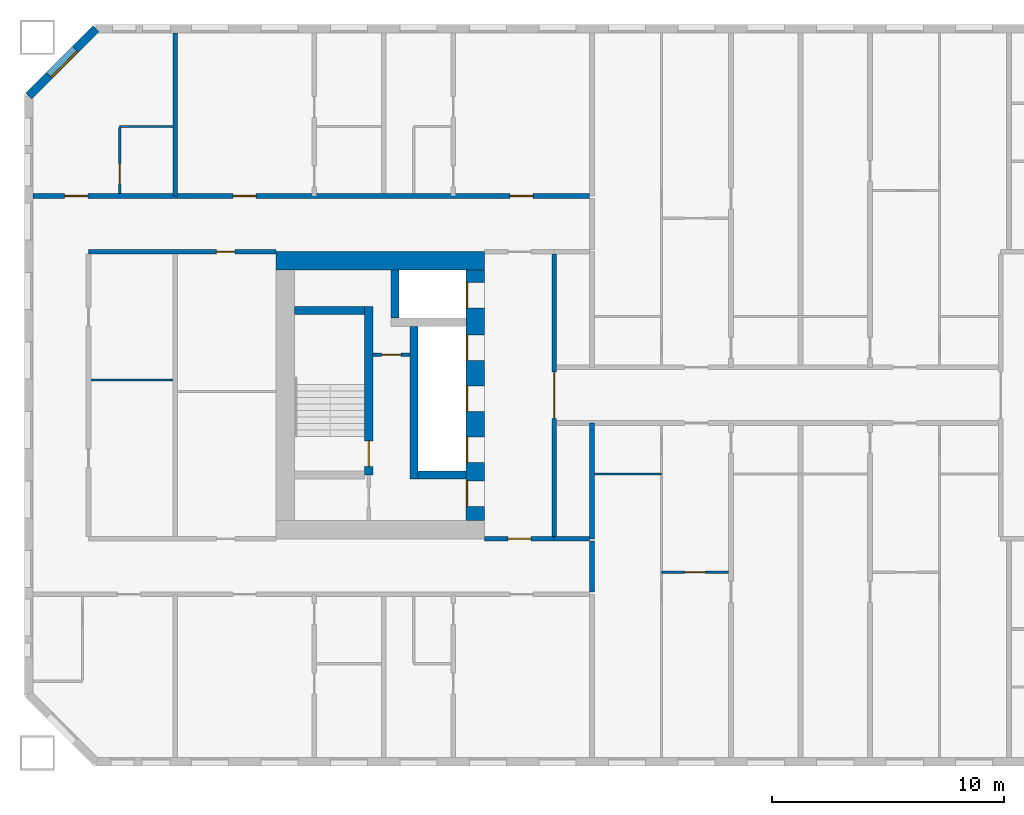
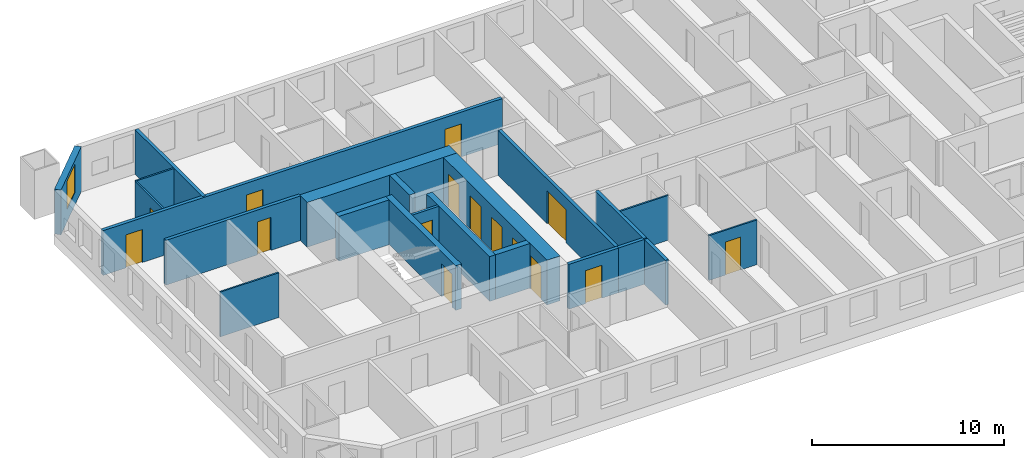
# One storey, part 4 of 17: 22 walls, 15 doors, 1 window, 16 openings.
"""IFC4 building model written with IfcOpenShell, lengths in metres."""

from ifc_helpers import new_model, si_unit, direction, frame, frame_2d, origin, place, context, subcontext, project, spatial, rectangle, extrude, material, layer, layer_set, type_object, element, fill, save


model = new_model("IFC4")

# Units and contexts
model_context = context("Model", 3, precision=1e-05, world=origin(), true_north=direction((0.0, 1.0)))
body_context = subcontext(model_context, "Body", "Model", "MODEL_VIEW")
ifc_project = project(units=[si_unit("LENGTHUNIT", "METRE"), si_unit("AREAUNIT", "SQUARE_METRE"), si_unit("VOLUMEUNIT", "CUBIC_METRE"), si_unit("PLANEANGLEUNIT", "RADIAN"), si_unit("MASSUNIT", "GRAM", prefix="KILO")], contexts=[model_context])

# Site, building, storey
site_placement = place(None, origin())
site = spatial("IfcSite", under=ifc_project, at=site_placement, CompositionType="ELEMENT")
building_placement = place(site_placement, origin())
building = spatial("IfcBuilding", under=site, at=building_placement, Name="Tuart Gate Housing", CompositionType="ELEMENT")
storey_placement = place(building_placement, frame((0.0, 0.0, 44.300048828125)))
storey = spatial("IfcBuildingStorey", under=building, at=storey_placement, Name="L11", CompositionType="ELEMENT", Elevation=44.300048828125)

# Wall, opening, window
ifc_material_1 = material(Name="Brick", Category="masonry")
ifc_layer_1 = layer(ifc_material_1, 0.360107421875)
ifc_layer_set_1 = layer_set([ifc_layer_1], Name="Brick pier and spandrel wall 360")
wall_type_1 = type_object("IfcWallType", Name="Brick pier and spandrel wall 360", PredefinedType="STANDARD", material=ifc_layer_set_1)
wall_1_placement = place(storey_placement, frame((24.57470703125, 85.820068359375, 0.0), z_axis=(0.0, 0.0, 1.0), x_axis=(-0.707106781187, -0.707106781187, 0.0)))
wall_1 = element("IfcWall", 1, at=wall_1_placement, inside=storey, type_object=wall_type_1, Name="External wall A-NW L11", PredefinedType="STANDARD", context=body_context, shape_type="SweptSolid", body=[
    extrude(rectangle(XDim=4.09375, YDim=0.360107421875, at=frame_2d((2.046875, 0.0))), origin(), (0.0, 0.0, 1.0), 2.849853515625),
])
opening_1_placement = place(wall_1_placement, frame((1.2470703125, 0.0, 0.800048828125)))
opening_1 = element("IfcOpeningElement", 2, at=opening_1_placement, cuts=wall_1, Name="Opening W1", PredefinedType="OPENING", context=body_context, shape_type="SweptSolid", body=[
    extrude(rectangle(XDim=1.60009765625, YDim=1.800048828125, at=frame_2d((0.800048828125, 0.89990234375))), frame((0.0, 0.18994140625, 0.0), z_axis=(0.0, -1.0, 0.0), x_axis=(1.0, 0.0, 0.0)), (0.0, 0.0, 1.0), 0.380126953125),
])
ifc_material_2 = material(Name="Aluminium frame with clear glass", Category="aluminium")
window_type = type_object("IfcWindowType", Name="Punched window 1600 x 1800", PartitioningType="SINGLE_PANEL", PredefinedType="WINDOW", material=ifc_material_2)
window_placement = place(opening_1_placement, origin())
window = element("IfcWindow", 3, at=window_placement, inside=storey, type_object=window_type, Name="Window W1", OverallHeight=1.800048828125, OverallWidth=1.60009765625, PartitioningType="SINGLE_PANEL", PredefinedType="WINDOW", context=body_context, shape_type="SweptSolid", body=[
    extrude(rectangle(XDim=1.60009765625, YDim=1.800048828125, at=frame_2d((0.800048828125, 0.89990234375))), frame((0.0, 0.150146484375, 0.0), z_axis=(0.0, -1.0, 0.0), x_axis=(1.0, 0.0, 0.0)), (0.0, 0.0, 1.0), 0.06005859375),
])
fill(opening_1, window)

# Wall, opening, door
ifc_material_3 = material(Name="Plasterboard partition")
ifc_layer_2 = layer(ifc_material_3, 0.14990234375)
ifc_layer_set_2 = layer_set([ifc_layer_2], Name="Core partition 150")
wall_type_2 = type_object("IfcWallType", Name="Core partition 150", PredefinedType="PARTITIONING", material=ifc_layer_set_2)
wall_2_placement = place(storey_placement, frame((38.135009765625, 71.75, 0.0), z_axis=(0.0, 0.0, 1.0), x_axis=(-1.0, 0.0, 0.0)))
wall_2 = element("IfcWall", 4, at=wall_2_placement, inside=storey, type_object=wall_type_2, Name="Core partition AK.3", PredefinedType="PARTITIONING", context=body_context, shape_type="SweptSolid", body=[
    extrude(rectangle(XDim=1.60009765625, YDim=0.14990234375, at=frame_2d((0.800048828125, 0.0))), origin(), (0.0, 0.0, 1.0), 2.849853515625),
])
opening_2_placement = place(wall_2_placement, frame((0.375, 0.0, 0.0)))
opening_2 = element("IfcOpeningElement", 5, at=opening_2_placement, cuts=wall_2, Name="Opening D616", PredefinedType="OPENING", context=body_context, shape_type="SweptSolid", body=[
    extrude(rectangle(XDim=0.85009765625, YDim=2.10009765625, at=frame_2d((0.425048828125, 1.050048828125))), frame((0.0, 0.0849609375, 0.0), z_axis=(0.0, -1.0, 0.0), x_axis=(1.0, 0.0, 0.0)), (0.0, 0.0, 1.0), 0.169921875),
])
ifc_material_4 = material(Name="Steel fire door", Category="steel")
door_type_1 = type_object("IfcDoorType", Name="Riser door 850 x 2100 RH", OperationType="SINGLE_SWING_RIGHT", PredefinedType="DOOR", material=ifc_material_4)
door_1_placement = place(opening_2_placement, frame((0.85009765625, 0.0, 0.0), z_axis=(0.0, 0.0, 1.0), x_axis=(-1.0, 0.0, 0.0)))
door_1 = element("IfcDoor", 6, at=door_1_placement, inside=storey, type_object=door_type_1, Name="Service room door AK.E1", OperationType="SINGLE_SWING_RIGHT", OverallHeight=2.10009765625, OverallWidth=0.85009765625, PredefinedType="DOOR", context=body_context, shape_type="SweptSolid", body=[
    extrude(rectangle(XDim=0.85009765625, YDim=2.10009765625, at=frame_2d((0.425048828125, 1.050048828125))), frame((0.0, 0.025146484375, 0.0), z_axis=(0.0, -1.0, 0.0), x_axis=(1.0, 0.0, 0.0)), (0.0, 0.0, 1.0), 0.050048828125),
])
fill(opening_2, door_1)

# Walls
ifc_material_5 = material(Name="Concrete C60", Category="concrete")
ifc_layer_3 = layer(ifc_material_5, 0.35009765625)
ifc_layer_set_3 = layer_set([ifc_layer_3], Name="Core wall 350 C60")
wall_type_3 = type_object("IfcWallType", Name="Core wall 350 C60", PredefinedType="SHEAR", material=ifc_layer_set_3)
wall_3_placement = place(storey_placement, frame((36.18505859375, 73.64990234375, 0.0), z_axis=(0.0, 0.0, 1.0), x_axis=(-1.0, 0.0, 0.0)))
element("IfcWall", 7, at=wall_3_placement, inside=storey, type_object=wall_type_3, Name="Core wall AK.1", PredefinedType="SHEAR", context=body_context, shape_type="SweptSolid", body=[
    extrude(rectangle(XDim=3.025146484375, YDim=0.35009765625, at=frame_2d((1.5126953125, 0.0))), origin(), (0.0, 0.0, 1.0), 2.849853515625),
])
wall_4_placement = place(storey_placement, frame((40.56005859375, 66.550048828125, 0.0), z_axis=(0.0, 0.0, 1.0), x_axis=(-1.0, 0.0, 0.0)))
element("IfcWall", 8, at=wall_4_placement, inside=storey, type_object=wall_type_3, Name="Core wall AK.4", PredefinedType="SHEAR", context=body_context, shape_type="SweptSolid", body=[
    extrude(rectangle(XDim=2.074951171875, YDim=0.35009765625, at=frame_2d((1.03759765625, 0.0))), origin(), (0.0, 0.0, 1.0), 2.849853515625),
])
wall_5_placement = place(storey_placement, frame((38.31005859375, 72.97509765625, 0.0), z_axis=(0.0, 0.0, 1.0), x_axis=(0.0, -1.0, 0.0)))
element("IfcWall", 9, at=wall_5_placement, inside=storey, type_object=wall_type_3, Name="Core wall AK.6", PredefinedType="SHEAR", context=body_context, shape_type="SweptSolid", body=[
    extrude(rectangle(XDim=6.60009765625, YDim=0.35009765625, at=frame_2d((3.300048828125, 0.0))), origin(), (0.0, 0.0, 1.0), 2.849853515625),
])
wall_6_placement = place(storey_placement, frame((37.489990234375, 75.39990234375, 0.0), z_axis=(0.0, 0.0, 1.0), x_axis=(0.0, -1.0, 0.0)))
element("IfcWall", 10, at=wall_6_placement, inside=storey, type_object=wall_type_3, Name="Core wall AK.7", PredefinedType="SHEAR", context=body_context, shape_type="SweptSolid", body=[
    extrude(rectangle(XDim=2.074951171875, YDim=0.35009765625, at=frame_2d((1.03759765625, 0.0))), origin(), (0.0, 0.0, 1.0), 2.849853515625),
])

# Wall, opening, door
wall_7_placement = place(storey_placement, frame((36.360107421875, 73.824951171875, 0.0), z_axis=(0.0, 0.0, 1.0), x_axis=(0.0, -1.0, 0.0)))
wall_7 = element("IfcWall", 11, at=wall_7_placement, inside=storey, type_object=wall_type_3, Name="Core wall AK.8", PredefinedType="SHEAR", context=body_context, shape_type="SweptSolid", body=[
    extrude(rectangle(XDim=7.27490234375, YDim=0.35009765625, at=frame_2d((3.637451171875, 0.0))), origin(), (0.0, 0.0, 1.0), 2.849853515625),
])
opening_3_placement = place(wall_7_placement, frame((5.800048828125, 0.0, 0.0)))
opening_3 = element("IfcOpeningElement", 12, at=opening_3_placement, cuts=wall_7, Name="Opening D619", PredefinedType="OPENING", context=body_context, shape_type="SweptSolid", body=[
    extrude(rectangle(XDim=1.10009765625, YDim=2.10009765625, at=frame_2d((0.550048828125, 1.050048828125))), frame((0.0, 0.18505859375, 0.0), z_axis=(0.0, -1.0, 0.0), x_axis=(1.0, 0.0, 0.0)), (0.0, 0.0, 1.0), 0.3701171875),
])
ifc_material_6 = material(Name="Steel fire door", Category="steel")
door_type_2 = type_object("IfcDoorType", Name="Stair door 1100 x 2100", OperationType="SINGLE_SWING_LEFT", PredefinedType="DOOR", material=ifc_material_6)
door_2_placement = place(opening_3_placement, frame((1.10009765625, 0.0, 0.0), z_axis=(0.0, 0.0, 1.0), x_axis=(-1.0, 0.0, 0.0)))
door_2 = element("IfcDoor", 13, at=door_2_placement, inside=storey, type_object=door_type_2, Name="Stair door AK.SD", OperationType="SINGLE_SWING_LEFT", OverallHeight=2.10009765625, OverallWidth=1.10009765625, PredefinedType="DOOR", context=body_context, shape_type="SweptSolid", body=[
    extrude(rectangle(XDim=1.10009765625, YDim=2.10009765625, at=frame_2d((0.550048828125, 1.050048828125))), frame((0.0, 0.025146484375, 0.0), z_axis=(0.0, -1.0, 0.0), x_axis=(1.0, 0.0, 0.0)), (0.0, 0.0, 1.0), 0.050048828125),
])
fill(opening_3, door_2)

# Wall, openings, doors
ifc_material_7 = material(Name="Concrete C60", Category="concrete")
ifc_layer_4 = layer(ifc_material_7, 0.800048828125)
ifc_layer_set_4 = layer_set([ifc_layer_4], Name="Core wall 800 C60")
wall_type_4 = type_object("IfcWallType", Name="Core wall 800 C60", PredefinedType="SHEAR", material=ifc_layer_set_4)
wall_8_placement = place(storey_placement, frame((40.9599609375, 75.39990234375, 0.0), z_axis=(0.0, 0.0, 1.0), x_axis=(0.0, -1.0, 0.0)))
wall_8 = element("IfcWall", 14, at=wall_8_placement, inside=storey, type_object=wall_type_4, Name="Core wall AK front", PredefinedType="SHEAR", context=body_context, shape_type="SweptSolid", body=[
    extrude(rectangle(XDim=10.7998046875, YDim=0.800048828125, at=frame_2d((5.39990234375, 0.0))), origin(), (0.0, 0.0, 1.0), 2.849853515625),
])
opening_4_placement = place(wall_8_placement, frame((0.52490234375, 0.0, 0.0)))
opening_4 = element("IfcOpeningElement", 15, at=opening_4_placement, cuts=wall_8, Name="Opening LD-FA2", PredefinedType="OPENING", context=body_context, shape_type="SweptSolid", body=[
    extrude(rectangle(XDim=1.10009765625, YDim=2.10009765625, at=frame_2d((0.550048828125, 1.050048828125))), frame((0.0, 0.409912109375, 0.0), z_axis=(0.0, -1.0, 0.0), x_axis=(1.0, 0.0, 0.0)), (0.0, 0.0, 1.0), 0.820068359375),
])
opening_5_placement = place(wall_8_placement, frame((2.800048828125, 0.0, 0.0)))
opening_5 = element("IfcOpeningElement", 16, at=opening_5_placement, cuts=wall_8, Name="Opening LD-LA4", PredefinedType="OPENING", context=body_context, shape_type="SweptSolid", body=[
    extrude(rectangle(XDim=1.10009765625, YDim=2.10009765625, at=frame_2d((0.550048828125, 1.050048828125))), frame((0.0, 0.409912109375, 0.0), z_axis=(0.0, -1.0, 0.0), x_axis=(1.0, 0.0, 0.0)), (0.0, 0.0, 1.0), 0.820068359375),
])
opening_6_placement = place(wall_8_placement, frame((5.0, 0.0, 0.0)))
opening_6 = element("IfcOpeningElement", 17, at=opening_6_placement, cuts=wall_8, Name="Opening LD-LA5", PredefinedType="OPENING", context=body_context, shape_type="SweptSolid", body=[
    extrude(rectangle(XDim=1.10009765625, YDim=2.10009765625, at=frame_2d((0.550048828125, 1.050048828125))), frame((0.0, 0.409912109375, 0.0), z_axis=(0.0, -1.0, 0.0), x_axis=(1.0, 0.0, 0.0)), (0.0, 0.0, 1.0), 0.820068359375),
])
opening_7_placement = place(wall_8_placement, frame((7.199951171875, 0.0, 0.0)))
opening_7 = element("IfcOpeningElement", 18, at=opening_7_placement, cuts=wall_8, Name="Opening LD-LA6", PredefinedType="OPENING", context=body_context, shape_type="SweptSolid", body=[
    extrude(rectangle(XDim=1.10009765625, YDim=2.10009765625, at=frame_2d((0.550048828125, 1.050048828125))), frame((0.0, 0.409912109375, 0.0), z_axis=(0.0, -1.0, 0.0), x_axis=(1.0, 0.0, 0.0)), (0.0, 0.0, 1.0), 0.820068359375),
])
opening_8_placement = place(wall_8_placement, frame((9.10009765625, 0.0, 0.0)))
opening_8 = element("IfcOpeningElement", 19, at=opening_8_placement, cuts=wall_8, Name="Opening D622", PredefinedType="OPENING", context=body_context, shape_type="SweptSolid", body=[
    extrude(rectangle(XDim=1.10009765625, YDim=2.10009765625, at=frame_2d((0.550048828125, 1.050048828125))), frame((0.0, 0.409912109375, 0.0), z_axis=(0.0, -1.0, 0.0), x_axis=(1.0, 0.0, 0.0)), (0.0, 0.0, 1.0), 0.820068359375),
])
ifc_material_8 = material(Name="Stainless steel", Category="steel")
door_type_3 = type_object("IfcDoorType", Name="Landing door 1100 x 2100", OperationType="DOUBLE_DOOR_SLIDING", PredefinedType="DOOR", material=ifc_material_8)
door_3_placement = place(opening_4_placement, origin())
door_3 = element("IfcDoor", 20, at=door_3_placement, inside=storey, type_object=door_type_3, Name="Lift landing door FA2", OperationType="DOUBLE_DOOR_SLIDING", OverallHeight=2.10009765625, OverallWidth=1.10009765625, PredefinedType="DOOR", context=body_context, shape_type="SweptSolid", body=[
    extrude(rectangle(XDim=1.10009765625, YDim=2.10009765625, at=frame_2d((0.550048828125, 1.050048828125))), frame((0.0, -0.3349609375, 0.0), z_axis=(0.0, -1.0, 0.0), x_axis=(1.0, 0.0, 0.0)), (0.0, 0.0, 1.0), 0.050048828125),
])
fill(opening_4, door_3)
door_4_placement = place(opening_5_placement, origin())
door_4 = element("IfcDoor", 21, at=door_4_placement, inside=storey, type_object=door_type_3, Name="Lift landing door LA4", OperationType="DOUBLE_DOOR_SLIDING", OverallHeight=2.10009765625, OverallWidth=1.10009765625, PredefinedType="DOOR", context=body_context, shape_type="SweptSolid", body=[
    extrude(rectangle(XDim=1.10009765625, YDim=2.10009765625, at=frame_2d((0.550048828125, 1.050048828125))), frame((0.0, -0.3349609375, 0.0), z_axis=(0.0, -1.0, 0.0), x_axis=(1.0, 0.0, 0.0)), (0.0, 0.0, 1.0), 0.050048828125),
])
fill(opening_5, door_4)
door_5_placement = place(opening_6_placement, origin())
door_5 = element("IfcDoor", 22, at=door_5_placement, inside=storey, type_object=door_type_3, Name="Lift landing door LA5", OperationType="DOUBLE_DOOR_SLIDING", OverallHeight=2.10009765625, OverallWidth=1.10009765625, PredefinedType="DOOR", context=body_context, shape_type="SweptSolid", body=[
    extrude(rectangle(XDim=1.10009765625, YDim=2.10009765625, at=frame_2d((0.550048828125, 1.050048828125))), frame((0.0, -0.3349609375, 0.0), z_axis=(0.0, -1.0, 0.0), x_axis=(1.0, 0.0, 0.0)), (0.0, 0.0, 1.0), 0.050048828125),
])
fill(opening_6, door_5)
door_6_placement = place(opening_7_placement, origin())
door_6 = element("IfcDoor", 23, at=door_6_placement, inside=storey, type_object=door_type_3, Name="Lift landing door LA6", OperationType="DOUBLE_DOOR_SLIDING", OverallHeight=2.10009765625, OverallWidth=1.10009765625, PredefinedType="DOOR", context=body_context, shape_type="SweptSolid", body=[
    extrude(rectangle(XDim=1.10009765625, YDim=2.10009765625, at=frame_2d((0.550048828125, 1.050048828125))), frame((0.0, -0.3349609375, 0.0), z_axis=(0.0, -1.0, 0.0), x_axis=(1.0, 0.0, 0.0)), (0.0, 0.0, 1.0), 0.050048828125),
])
fill(opening_7, door_6)
ifc_material_9 = material(Name="Steel fire door", Category="steel")
door_type_4 = type_object("IfcDoorType", Name="Lobby door 1100 x 2100 RH", OperationType="SINGLE_SWING_RIGHT", PredefinedType="DOOR", material=ifc_material_9)
door_7_placement = place(opening_8_placement, frame((1.10009765625, 0.0, 0.0), z_axis=(0.0, 0.0, 1.0), x_axis=(-1.0, 0.0, 0.0)))
door_7 = element("IfcDoor", 24, at=door_7_placement, inside=storey, type_object=door_type_4, Name="Lobby entry door AK.EN", OperationType="SINGLE_SWING_RIGHT", OverallHeight=2.10009765625, OverallWidth=1.10009765625, PredefinedType="DOOR", context=body_context, shape_type="SweptSolid", body=[
    extrude(rectangle(XDim=1.10009765625, YDim=2.10009765625, at=frame_2d((0.550048828125, 1.050048828125))), frame((0.0, 0.385009765625, 0.0), z_axis=(0.0, -1.0, 0.0), x_axis=(1.0, 0.0, 0.0)), (0.0, 0.0, 1.0), 0.050048828125),
])
fill(opening_8, door_7)

# Walls
wall_9_placement = place(storey_placement, frame((41.360107421875, 75.800048828125, 0.0), z_axis=(0.0, 0.0, 1.0), x_axis=(-1.0, 0.0, 0.0)))
element("IfcWall", 25, at=wall_9_placement, inside=storey, type_object=wall_type_4, Name="Core wall AK south", PredefinedType="SHEAR", context=body_context, shape_type="SweptSolid", body=[
    extrude(rectangle(XDim=9.0, YDim=0.800048828125, at=frame_2d((4.5, 0.0))), origin(), (0.0, 0.0, 1.0), 2.849853515625),
])
ifc_material_10 = material(Name="Concrete masonry 15 MPa", Category="masonry")
ifc_layer_5 = layer(ifc_material_10, 0.199951171875)
ifc_layer_set_5 = layer_set([ifc_layer_5], Name="Corridor wall masonry 200")
wall_type_5 = type_object("IfcWallType", Name="Corridor wall masonry 200", PredefinedType="PARTITIONING", material=ifc_layer_set_5)
wall_10_placement = place(storey_placement, frame((44.360107421875, 63.800048828125, 0.0), z_axis=(0.0, 0.0, 1.0), x_axis=(1.0, 0.0, 0.0)))
element("IfcWall", 26, at=wall_10_placement, inside=storey, type_object=wall_type_5, Name="Corridor wall masonry 200", PredefinedType="PARTITIONING", context=body_context, shape_type="SweptSolid", body=[
    extrude(rectangle(XDim=1.539794921875, YDim=0.199951171875, at=frame_2d((0.77001953125, 0.0))), origin(), (0.0, 0.0, 1.0), 2.849853515625),
])

# Wall, opening, door
wall_11_placement = place(storey_placement, frame((24.260009765625, 76.199951171875, 0.0), z_axis=(0.0, 0.0, 1.0), x_axis=(1.0, 0.0, 0.0)))
wall_11 = element("IfcWall", 27, at=wall_11_placement, inside=storey, type_object=wall_type_5, Name="Corridor wall masonry 200", PredefinedType="PARTITIONING", context=body_context, shape_type="SweptSolid", body=[
    extrude(rectangle(XDim=8.10009765625, YDim=0.199951171875, at=frame_2d((4.050048828125, 0.0))), origin(), (0.0, 0.0, 1.0), 2.849853515625),
])
opening_9_placement = place(wall_11_placement, frame((5.52001953125, 0.0, 0.0)))
opening_9 = element("IfcOpeningElement", 28, at=opening_9_placement, cuts=wall_11, Name="Opening D612", PredefinedType="OPENING", context=body_context, shape_type="SweptSolid", body=[
    extrude(rectangle(XDim=0.800048828125, YDim=2.10009765625, at=frame_2d((0.39990234375, 1.050048828125))), frame((0.0, 0.10986328125, 0.0), z_axis=(0.0, -1.0, 0.0), x_axis=(1.0, 0.0, 0.0)), (0.0, 0.0, 1.0), 0.219970703125),
])
ifc_material_11 = material(Name="Timber door leaf in steel frame", Category="steel")
door_type_5 = type_object("IfcDoorType", Name="Store door 800 RH", OperationType="SINGLE_SWING_RIGHT", PredefinedType="DOOR", material=ifc_material_11)
door_8_placement = place(opening_9_placement, frame((0.800048828125, 0.0, 0.0), z_axis=(0.0, 0.0, 1.0), x_axis=(-1.0, 0.0, 0.0)))
door_8 = element("IfcDoor", 29, at=door_8_placement, inside=storey, type_object=door_type_5, Name="Store door", OperationType="SINGLE_SWING_RIGHT", OverallHeight=2.10009765625, OverallWidth=0.800048828125, PredefinedType="DOOR", context=body_context, shape_type="SweptSolid", body=[
    extrude(rectangle(XDim=0.800048828125, YDim=2.10009765625, at=frame_2d((0.400146484375, 1.050048828125))), frame((0.0, 0.025146484375, 0.0), z_axis=(0.0, -1.0, 0.0), x_axis=(1.0, 0.0, 0.0)), (0.0, 0.0, 1.0), 0.050048828125),
])
fill(opening_9, door_8)

# Wall, openings, doors
wall_12_placement = place(storey_placement, frame((21.860107421875, 78.60009765625, 0.0), z_axis=(0.0, 0.0, 1.0), x_axis=(1.0, 0.0, 0.0)))
wall_12 = element("IfcWall", 30, at=wall_12_placement, inside=storey, type_object=wall_type_5, Name="Corridor wall masonry 200", PredefinedType="PARTITIONING", context=body_context, shape_type="SweptSolid", body=[
    extrude(rectangle(XDim=24.039794921875, YDim=0.199951171875, at=frame_2d((12.02001953125, 0.0))), origin(), (0.0, 0.0, 1.0), 2.849853515625),
])
opening_10_placement = place(wall_12_placement, frame((20.590087890625, 0.0, 0.0)))
opening_10 = element("IfcOpeningElement", 31, at=opening_10_placement, cuts=wall_12, Name="Opening D600", PredefinedType="OPENING", context=body_context, shape_type="SweptSolid", body=[
    extrude(rectangle(XDim=1.0, YDim=2.10009765625, at=frame_2d((0.5, 1.050048828125))), frame((0.0, 0.10986328125, 0.0), z_axis=(0.0, -1.0, 0.0), x_axis=(1.0, 0.0, 0.0)), (0.0, 0.0, 1.0), 0.219970703125),
])
opening_11_placement = place(wall_12_placement, frame((8.639892578125, 0.0, 0.0)))
opening_11 = element("IfcOpeningElement", 32, at=opening_11_placement, cuts=wall_12, Name="Opening D601", PredefinedType="OPENING", context=body_context, shape_type="SweptSolid", body=[
    extrude(rectangle(XDim=1.0, YDim=2.10009765625, at=frame_2d((0.5, 1.050048828125))), frame((0.0, 0.10986328125, 0.0), z_axis=(0.0, -1.0, 0.0), x_axis=(1.0, 0.0, 0.0)), (0.0, 0.0, 1.0), 0.219970703125),
])
opening_12_placement = place(wall_12_placement, frame((1.3701171875, 0.0, 0.0)))
opening_12 = element("IfcOpeningElement", 33, at=opening_12_placement, cuts=wall_12, Name="Opening D602", PredefinedType="OPENING", context=body_context, shape_type="SweptSolid", body=[
    extrude(rectangle(XDim=1.0, YDim=2.10009765625, at=frame_2d((0.5, 1.050048828125))), frame((0.0, 0.10986328125, 0.0), z_axis=(0.0, -1.0, 0.0), x_axis=(1.0, 0.0, 0.0)), (0.0, 0.0, 1.0), 0.219970703125),
])
ifc_material_12 = material(Name="Timber door leaf in steel frame", Category="steel")
door_type_6 = type_object("IfcDoorType", Name="Flat entrance door 1000", OperationType="SINGLE_SWING_LEFT", PredefinedType="DOOR", material=ifc_material_12)
door_9_placement = place(opening_10_placement, origin())
door_9 = element("IfcDoor", 34, at=door_9_placement, inside=storey, type_object=door_type_6, Name="Flat entrance door", OperationType="SINGLE_SWING_LEFT", OverallHeight=2.10009765625, OverallWidth=1.0, PredefinedType="DOOR", context=body_context, shape_type="SweptSolid", body=[
    extrude(rectangle(XDim=1.0, YDim=2.10009765625, at=frame_2d((0.5, 1.050048828125))), frame((0.0, 0.02490234375, 0.0), z_axis=(0.0, -1.0, 0.0), x_axis=(1.0, 0.0, 0.0)), (0.0, 0.0, 1.0), 0.050048828125),
])
fill(opening_10, door_9)
door_10_placement = place(opening_11_placement, origin())
door_10 = element("IfcDoor", 35, at=door_10_placement, inside=storey, type_object=door_type_6, Name="Flat entrance door", OperationType="SINGLE_SWING_LEFT", OverallHeight=2.10009765625, OverallWidth=1.0, PredefinedType="DOOR", context=body_context, shape_type="SweptSolid", body=[
    extrude(rectangle(XDim=1.0, YDim=2.10009765625, at=frame_2d((0.5, 1.050048828125))), frame((0.0, 0.02490234375, 0.0), z_axis=(0.0, -1.0, 0.0), x_axis=(1.0, 0.0, 0.0)), (0.0, 0.0, 1.0), 0.050048828125),
])
fill(opening_11, door_10)
door_11_placement = place(opening_12_placement, origin())
door_11 = element("IfcDoor", 36, at=door_11_placement, inside=storey, type_object=door_type_6, Name="Flat entrance door", OperationType="SINGLE_SWING_LEFT", OverallHeight=2.10009765625, OverallWidth=1.0, PredefinedType="DOOR", context=body_context, shape_type="SweptSolid", body=[
    extrude(rectangle(XDim=1.0, YDim=2.10009765625, at=frame_2d((0.5, 1.050048828125))), frame((0.0, 0.02490234375, 0.0), z_axis=(0.0, -1.0, 0.0), x_axis=(1.0, 0.0, 0.0)), (0.0, 0.0, 1.0), 0.050048828125),
])
fill(opening_12, door_11)

# Wall
wall_13_placement = place(storey_placement, frame((46.0, 61.5, 0.0), z_axis=(0.0, 0.0, 1.0), x_axis=(0.0, 1.0, 0.0)))
element("IfcWall", 37, at=wall_13_placement, inside=storey, type_object=wall_type_5, Name="Corridor wall masonry 200", PredefinedType="PARTITIONING", context=body_context, shape_type="SweptSolid", body=[
    extrude(rectangle(XDim=2.199951171875, YDim=0.199951171875, at=frame_2d((1.10009765625, 0.0))), origin(), (0.0, 0.0, 1.0), 2.849853515625),
])

# Wall, opening, door
ifc_material_13 = material(Name="Concrete masonry 15 MPa", Category="masonry")
ifc_layer_6 = layer(ifc_material_13, 0.199951171875)
ifc_layer_set_6 = layer_set([ifc_layer_6], Name="Enclosure wall masonry 200")
wall_type_6 = type_object("IfcWallType", Name="Enclosure wall masonry 200", PredefinedType="PARTITIONING", material=ifc_layer_set_6)
wall_14_placement = place(storey_placement, frame((41.360107421875, 63.800048828125, 0.0), z_axis=(0.0, 0.0, 1.0), x_axis=(1.0, 0.0, 0.0)))
wall_14 = element("IfcWall", 38, at=wall_14_placement, inside=storey, type_object=wall_type_6, Name="Enclosure wall masonry 200", PredefinedType="PARTITIONING", context=body_context, shape_type="SweptSolid", body=[
    extrude(rectangle(XDim=3.0, YDim=0.199951171875, at=frame_2d((1.5, 0.0))), origin(), (0.0, 0.0, 1.0), 2.849853515625),
])
opening_13_placement = place(wall_14_placement, frame((1.0, 0.0, 0.0)))
opening_13 = element("IfcOpeningElement", 39, at=opening_13_placement, cuts=wall_14, Name="Opening D632", PredefinedType="OPENING", context=body_context, shape_type="SweptSolid", body=[
    extrude(rectangle(XDim=1.0, YDim=2.10009765625, at=frame_2d((0.5, 1.050048828125))), frame((0.0, 0.10986328125, 0.0), z_axis=(0.0, -1.0, 0.0), x_axis=(1.0, 0.0, 0.0)), (0.0, 0.0, 1.0), 0.219970703125),
])
ifc_material_14 = material(Name="Timber door leaf in steel frame", Category="steel")
door_type_7 = type_object("IfcDoorType", Name="Fire door 1000", OperationType="SINGLE_SWING_LEFT", PredefinedType="DOOR", material=ifc_material_14)
door_12_placement = place(opening_13_placement, frame((1.0, 0.0, 0.0), z_axis=(0.0, 0.0, 1.0), x_axis=(-1.0, 0.0, 0.0)))
door_12 = element("IfcDoor", 40, at=door_12_placement, inside=storey, type_object=door_type_7, Name="Fire door", OperationType="SINGLE_SWING_LEFT", OverallHeight=2.10009765625, OverallWidth=1.0, PredefinedType="DOOR", context=body_context, shape_type="SweptSolid", body=[
    extrude(rectangle(XDim=1.0, YDim=2.10009765625, at=frame_2d((0.5, 1.050048828125))), frame((0.0, 0.025146484375, 0.0), z_axis=(0.0, -1.0, 0.0), x_axis=(1.0, 0.0, 0.0)), (0.0, 0.0, 1.0), 0.050048828125),
])
fill(opening_13, door_12)

ifc_material_15 = material(Name="Plasterboard partition")
ifc_layer_7 = layer(ifc_material_15, 0.199951171875)
ifc_layer_set_7 = layer_set([ifc_layer_7], Name="Lobby wall 200")
wall_type_7 = type_object("IfcWallType", Name="Lobby wall 200", PredefinedType="PARTITIONING", material=ifc_layer_set_7)
wall_15_placement = place(storey_placement, frame((44.360107421875, 63.89990234375, 0.0), z_axis=(0.0, 0.0, 1.0), x_axis=(0.0, 1.0, 0.0)))
wall_15 = element("IfcWall", 41, at=wall_15_placement, inside=storey, type_object=wall_type_7, Name="Lift lobby wall AK", PredefinedType="PARTITIONING", context=body_context, shape_type="SweptSolid", body=[
    extrude(rectangle(XDim=12.2001953125, YDim=0.199951171875, at=frame_2d((6.10009765625, 0.0))), origin(), (0.0, 0.0, 1.0), 2.849853515625),
])
opening_14_placement = place(wall_15_placement, frame((5.10009765625, 0.0, 0.0)))
opening_14 = element("IfcOpeningElement", 42, at=opening_14_placement, cuts=wall_15, Name="Opening D623", PredefinedType="OPENING", context=body_context, shape_type="SweptSolid", body=[
    extrude(rectangle(XDim=2.0, YDim=2.10009765625, at=frame_2d((1.0, 1.050048828125))), frame((0.0, 0.10986328125, 0.0), z_axis=(0.0, -1.0, 0.0), x_axis=(1.0, 0.0, 0.0)), (0.0, 0.0, 1.0), 0.219970703125),
])
ifc_material_16 = material(Name="Steel fire door", Category="steel")
door_type_8 = type_object("IfcDoorType", Name="Smoke door 2000 x 2100", OperationType="DOUBLE_DOOR_SINGLE_SWING", PredefinedType="DOOR", material=ifc_material_16)
door_13_placement = place(opening_14_placement, origin())
door_13 = element("IfcDoor", 43, at=door_13_placement, inside=storey, type_object=door_type_8, Name="Lift lobby smoke door AK", OperationType="DOUBLE_DOOR_SINGLE_SWING", OverallHeight=2.10009765625, OverallWidth=2.0, PredefinedType="DOOR", context=body_context, shape_type="SweptSolid", body=[
    extrude(rectangle(XDim=2.0, YDim=2.10009765625, at=frame_2d((1.0, 1.050048828125))), frame((0.0, 0.02490234375, 0.0), z_axis=(0.0, -1.0, 0.0), x_axis=(1.0, 0.0, 0.0)), (0.0, 0.0, 1.0), 0.050048828125),
])
fill(opening_14, door_13)

ifc_material_17 = material(Name="Gypsum board on steel studs", Category="steel")
ifc_layer_8 = layer(ifc_material_17, 0.10009765625)
ifc_layer_set_8 = layer_set([ifc_layer_8], Name="Partition 100")
wall_type_8 = type_object("IfcWallType", Name="Partition 100", PredefinedType="PARTITIONING", material=ifc_layer_set_8)
wall_16_placement = place(storey_placement, frame((49.0, 62.360107421875, 0.0), z_axis=(0.0, 0.0, 1.0), x_axis=(1.0, 0.0, 0.0)))
wall_16 = element("IfcWall", 44, at=wall_16_placement, inside=storey, type_object=wall_type_8, Name="Partition 100", PredefinedType="PARTITIONING", context=body_context, shape_type="SweptSolid", body=[
    extrude(rectangle(XDim=2.89990234375, YDim=0.10009765625, at=frame_2d((1.449951171875, 0.0))), origin(), (0.0, 0.0, 1.0), 2.849853515625),
])
opening_15_placement = place(wall_16_placement, frame((1.0, 0.0, 0.0)))
opening_15 = element("IfcOpeningElement", 45, at=opening_15_placement, cuts=wall_16, Name="Opening D634", PredefinedType="OPENING", context=body_context, shape_type="SweptSolid", body=[
    extrude(rectangle(XDim=0.89990234375, YDim=2.10009765625, at=frame_2d((0.449951171875, 1.050048828125))), frame((0.0, 0.06005859375, 0.0), z_axis=(0.0, -1.0, 0.0), x_axis=(1.0, 0.0, 0.0)), (0.0, 0.0, 1.0), 0.1201171875),
])
ifc_material_18 = material(Name="Timber door leaf in steel frame", Category="steel")
door_type_9 = type_object("IfcDoorType", Name="Internal door 900", OperationType="SINGLE_SWING_LEFT", PredefinedType="DOOR", material=ifc_material_18)
door_14_placement = place(opening_15_placement, origin())
door_14 = element("IfcDoor", 46, at=door_14_placement, inside=storey, type_object=door_type_9, Name="Internal door", OperationType="SINGLE_SWING_LEFT", OverallHeight=2.10009765625, OverallWidth=0.89990234375, PredefinedType="DOOR", context=body_context, shape_type="SweptSolid", body=[
    extrude(rectangle(XDim=0.89990234375, YDim=2.10009765625, at=frame_2d((0.449951171875, 1.050048828125))), frame((0.0, 0.02490234375, 0.0), z_axis=(0.0, -1.0, 0.0), x_axis=(1.0, 0.0, 0.0)), (0.0, 0.0, 1.0), 0.050048828125),
])
fill(opening_15, door_14)

# Walls
wall_17_placement = place(storey_placement, frame((46.10009765625, 66.60009765625, 0.0), z_axis=(0.0, 0.0, 1.0), x_axis=(1.0, 0.0, 0.0)))
element("IfcWall", 47, at=wall_17_placement, inside=storey, type_object=wall_type_8, Name="Partition 100", PredefinedType="PARTITIONING", context=body_context, shape_type="SweptSolid", body=[
    extrude(rectangle(XDim=2.89990234375, YDim=0.10009765625, at=frame_2d((1.449951171875, 0.0))), origin(), (0.0, 0.0, 1.0), 2.849853515625),
])
wall_18_placement = place(storey_placement, frame((24.360107421875, 70.659912109375, 0.0), z_axis=(0.0, 0.0, 1.0), x_axis=(1.0, 0.0, 0.0)))
element("IfcWall", 48, at=wall_18_placement, inside=storey, type_object=wall_type_8, Name="Partition 100", PredefinedType="PARTITIONING", context=body_context, shape_type="SweptSolid", body=[
    extrude(rectangle(XDim=3.539794921875, YDim=0.10009765625, at=frame_2d((1.77001953125, 0.0))), origin(), (0.0, 0.0, 1.0), 2.849853515625),
])
wall_19_placement = place(storey_placement, frame((25.60009765625, 81.60009765625, 0.0), z_axis=(0.0, 0.0, 1.0), x_axis=(1.0, 0.0, 0.0)))
element("IfcWall", 49, at=wall_19_placement, inside=storey, type_object=wall_type_8, Name="Partition 100", PredefinedType="PARTITIONING", context=body_context, shape_type="SweptSolid", body=[
    extrude(rectangle(XDim=2.2998046875, YDim=0.10009765625, at=frame_2d((1.14990234375, 0.0))), origin(), (0.0, 0.0, 1.0), 2.849853515625),
])

# Wall, opening, door
wall_20_placement = place(storey_placement, frame((25.60009765625, 78.699951171875, 0.0), z_axis=(0.0, 0.0, 1.0), x_axis=(0.0, 1.0, 0.0)))
wall_20 = element("IfcWall", 50, at=wall_20_placement, inside=storey, type_object=wall_type_8, Name="Partition 100", PredefinedType="PARTITIONING", context=body_context, shape_type="SweptSolid", body=[
    extrude(rectangle(XDim=2.85009765625, YDim=0.10009765625, at=frame_2d((1.425048828125, 0.0))), origin(), (0.0, 0.0, 1.0), 2.849853515625),
])
opening_16_placement = place(wall_20_placement, frame((0.39990234375, 0.0, 0.0)))
opening_16 = element("IfcOpeningElement", 51, at=opening_16_placement, cuts=wall_20, Name="Opening D596", PredefinedType="OPENING", context=body_context, shape_type="SweptSolid", body=[
    extrude(rectangle(XDim=0.89990234375, YDim=2.10009765625, at=frame_2d((0.449951171875, 1.050048828125))), frame((0.0, 0.06005859375, 0.0), z_axis=(0.0, -1.0, 0.0), x_axis=(1.0, 0.0, 0.0)), (0.0, 0.0, 1.0), 0.1201171875),
])
ifc_material_19 = material(Name="Timber door leaf in steel frame", Category="steel")
door_type_10 = type_object("IfcDoorType", Name="Bathroom door 900 RH", OperationType="SINGLE_SWING_RIGHT", PredefinedType="DOOR", material=ifc_material_19)
door_15_placement = place(opening_16_placement, frame((0.89990234375, 0.0, 0.0), z_axis=(0.0, 0.0, 1.0), x_axis=(-1.0, 0.0, 0.0)))
door_15 = element("IfcDoor", 52, at=door_15_placement, inside=storey, type_object=door_type_10, Name="Bathroom door", OperationType="SINGLE_SWING_RIGHT", OverallHeight=2.10009765625, OverallWidth=0.89990234375, PredefinedType="DOOR", context=body_context, shape_type="SweptSolid", body=[
    extrude(rectangle(XDim=0.89990234375, YDim=2.10009765625, at=frame_2d((0.449951171875, 1.050048828125))), frame((0.0, 0.025146484375, 0.0), z_axis=(0.0, -1.0, 0.0), x_axis=(1.0, 0.0, 0.0)), (0.0, 0.0, 1.0), 0.050048828125),
])
fill(opening_16, door_15)

# Walls
ifc_material_20 = material(Name="Concrete C40", Category="concrete")
ifc_layer_9 = layer(ifc_material_20, 0.199951171875)
ifc_layer_set_9 = layer_set([ifc_layer_9], Name="Party wall concrete C40 200")
wall_type_9 = type_object("IfcWallType", Name="Party wall concrete C40 200", PredefinedType="SOLIDWALL", material=ifc_layer_set_9)
wall_21_placement = place(storey_placement, frame((28.0, 78.60009765625, 0.0), z_axis=(0.0, 0.0, 1.0), x_axis=(0.0, 1.0, 0.0)))
element("IfcWall", 53, at=wall_21_placement, inside=storey, type_object=wall_type_9, Name="Party wall concrete C40 200", PredefinedType="SOLIDWALL", context=body_context, shape_type="SweptSolid", body=[
    extrude(rectangle(XDim=7.039794921875, YDim=0.199951171875, at=frame_2d((3.52001953125, 0.0))), origin(), (0.0, 0.0, 1.0), 2.849853515625),
])
wall_22_placement = place(storey_placement, frame((46.0, 63.800048828125, 0.0), z_axis=(0.0, 0.0, 1.0), x_axis=(0.0, 1.0, 0.0)))
element("IfcWall", 54, at=wall_22_placement, inside=storey, type_object=wall_type_9, Name="Party wall concrete C40 200", PredefinedType="SOLIDWALL", context=body_context, shape_type="SweptSolid", body=[
    extrude(rectangle(XDim=5.0, YDim=0.199951171875, at=frame_2d((2.5, 0.0))), origin(), (0.0, 0.0, 1.0), 2.849853515625),
])

save(model, "model.ifc")
